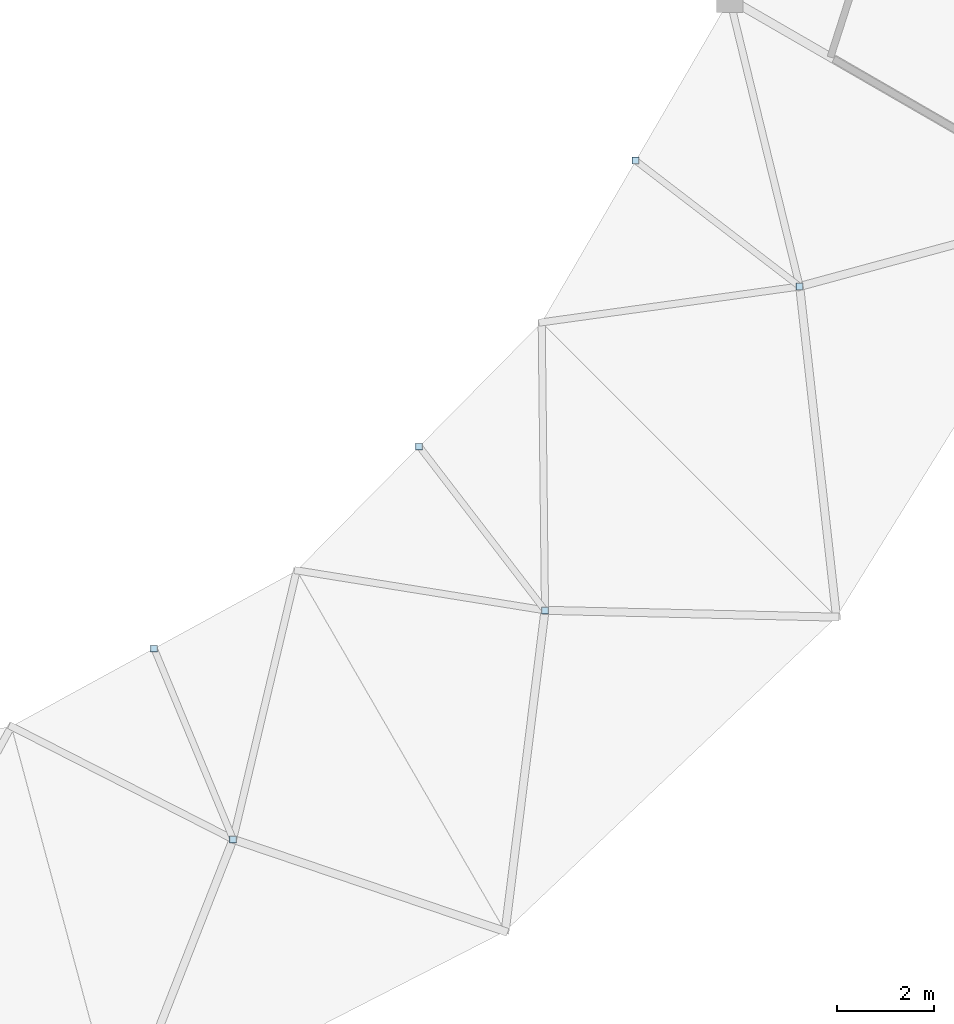
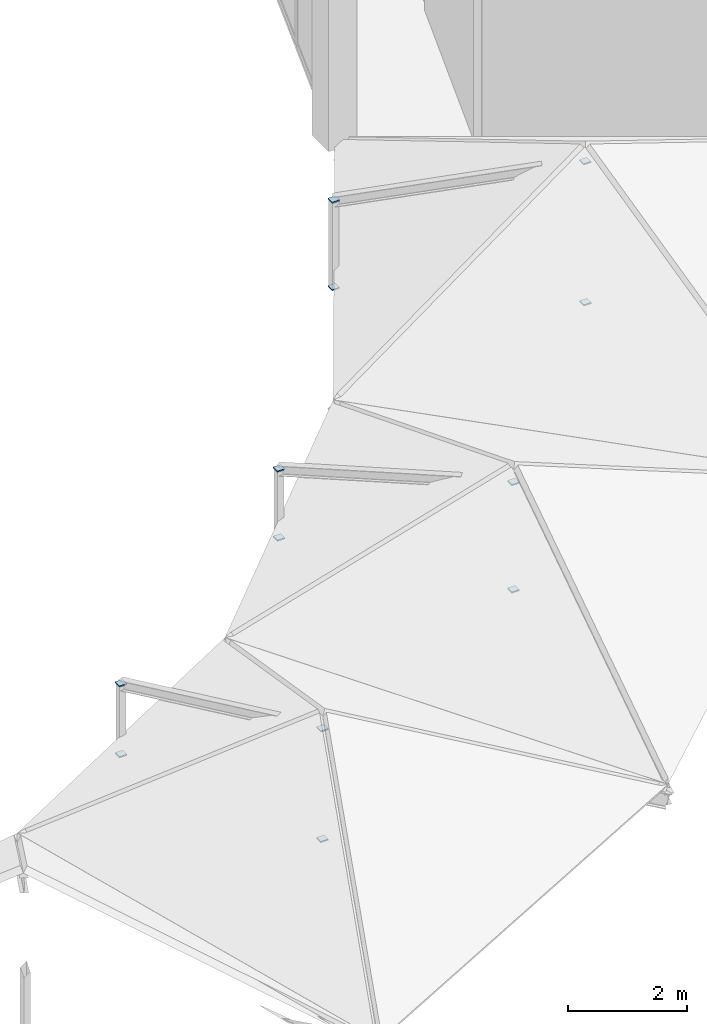
# One storey, part 51 of 66: 12 plates.
"""IFC4 building model written with IfcOpenShell, lengths in metres."""

from ifc_helpers import new_model, si_unit, direction, frame, origin, origin_2d, place, context, subcontext, project, spatial, rectangle, extrude, material, layer, layer_set, type_object, element, save


model = new_model("IFC4")

# Units and contexts
model_context = context("Model", 3, precision=1e-05, world=origin(), true_north=direction((0.0, 1.0)))
body_context = subcontext(model_context, "Body", "Model", "MODEL_VIEW")
ifc_project = project(units=[si_unit("LENGTHUNIT", "METRE"), si_unit("AREAUNIT", "SQUARE_METRE"), si_unit("VOLUMEUNIT", "CUBIC_METRE"), si_unit("PLANEANGLEUNIT", "RADIAN"), si_unit("MASSUNIT", "GRAM", prefix="KILO")], contexts=[model_context])

# Site, building, storey
site_placement = place(None, origin())
site = spatial("IfcSite", under=ifc_project, at=site_placement, CompositionType="ELEMENT")
building_placement = place(site_placement, origin())
building = spatial("IfcBuilding", under=site, at=building_placement, Name="Karori Crest Natural Sciences Institute", CompositionType="ELEMENT")
storey_placement = place(building_placement, frame((0.0, 0.0, 30.10009765625)))
storey = spatial("IfcBuildingStorey", under=building, at=storey_placement, Name="L07", CompositionType="ELEMENT", Elevation=30.10009765625)

# Plates
ifc_material = material(Name="Structural steel AS/NZS 3679.1 Grade 350", Category="steel")
ifc_layer = layer(ifc_material, 0.02490234375, Name="Structural steel AS/NZS 3679.1 Grade 350")
ifc_layer_set = layer_set([ifc_layer], Name="Structural steel AS/NZS 3679.1 Grade 350")
plate_type = type_object("IfcPlateType", Name="PLT-06-EL", PredefinedType="SHEET", material=ifc_layer_set)
for number, where, z_axis, x_axis, name in (
    (1, (77.2890625, 16.466796875, -0.27001953125), (0.0, 0.0, 1.0), (1.0, 0.0, 0.0), "Hollow section end cap EP-0133"),
    (2, (77.2890625, 16.466796875, 1.998046875), (0.0, 0.0, 1.0), (1.0, 0.0, 0.0), "Hollow section end cap EP-0134"),
    (3, (75.65771484375, 20.405517578125, -0.34814453125), (0.0, 0.0, 1.0), (1.0, 0.0, 0.0), "Hollow section end cap EP-0135"),
    (4, (75.65771484375, 20.405517578125, 1.10400390625), (0.0, 0.0, 1.0), (1.0, 0.0, 0.0), "Hollow section end cap EP-0136"),
    (5, (83.721923828125, 21.1904296875, -0.27001953125), (0.0, 0.0, 1.0), (1.0, 0.0, 0.0), "Hollow section end cap EP-0137"),
    (6, (83.721923828125, 21.1904296875, 1.933837890625), (0.0, 0.0, 1.0), (1.0, 0.0, 0.0), "Hollow section end cap EP-0138"),
    (7, (81.126708984375, 24.572509765625, -0.34814453125), (0.0, 0.0, 1.0), (1.0, 0.0, 0.0), "Hollow section end cap EP-0139"),
    (8, (81.126708984375, 24.572509765625, 1.06787109375), (0.0, 0.0, 1.0), (1.0, 0.0, 0.0), "Hollow section end cap EP-0140"),
    (9, (88.974365234375, 27.870361328125, -0.27001953125), (0.0, 0.0, 1.0), (1.0, 0.0, 0.0), "Hollow section end cap EP-0141"),
    (10, (88.974365234375, 27.870361328125, 2.6240234375), (0.0, 0.0, 1.0), (1.0, 0.0, 0.0), "Hollow section end cap EP-0142"),
    (11, (85.59228515625, 30.465576171875, -0.34814453125), (0.0, 0.0, 1.0), (1.0, 0.0, 0.0), "Hollow section end cap EP-0143"),
    (12, (85.59228515625, 30.465576171875, 1.445068359375), (0.0, 0.0, 1.0), (1.0, 0.0, 0.0), "Hollow section end cap EP-0144"),
):
    element("IfcPlate", number, at=place(storey_placement, frame(where, z_axis=z_axis, x_axis=x_axis)), inside=storey, type_object=plate_type, Name=name, PredefinedType="SHEET", context=body_context, shape_type="SweptSolid", body=[
        extrude(rectangle(XDim=0.14501953125, YDim=0.14501953125, at=origin_2d()), origin(), (0.0, 0.0, 1.0), 0.02490234375),
    ])

save(model, "model.ifc")
